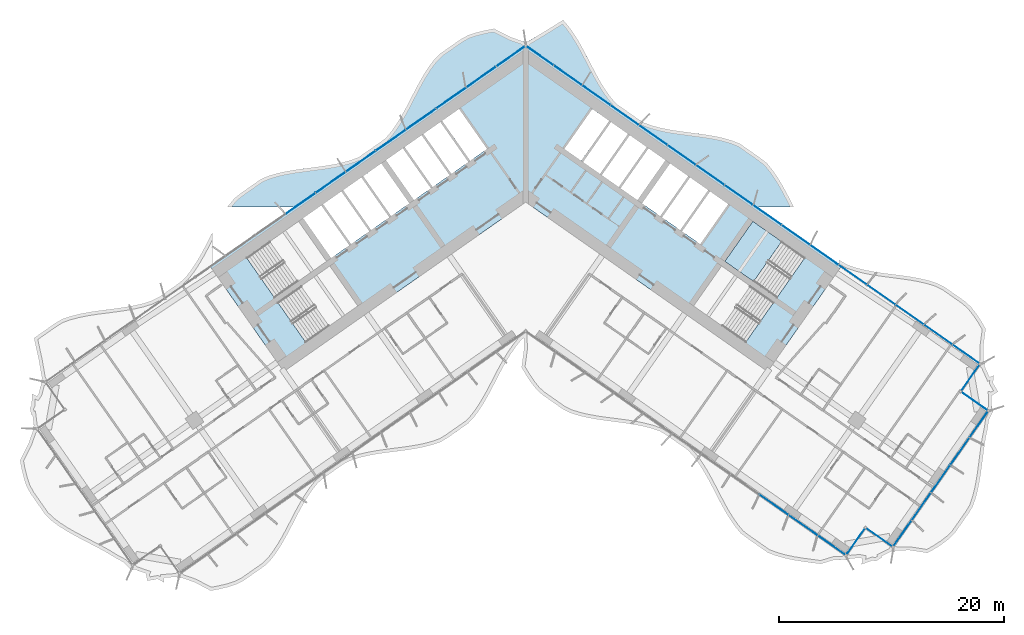
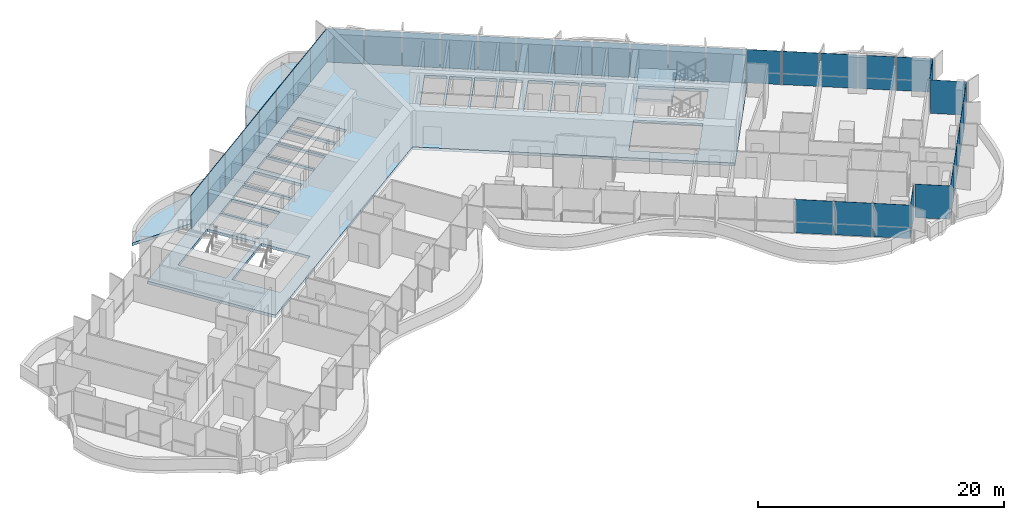
# One storey, part 11 of 23: 36 plates, 3 slabs, 3 elements without a shape of their own.
"""IFC4 building model written with IfcOpenShell, lengths in metres."""

import ifcopenshell
import ifcopenshell.guid

model = None  # the IFC model being written
_history = None  # IfcOwnerHistory: only IFC2X3 demands one
_inside = {}  # id of a spatial element -> (the spatial element, [elements in it])
_under = {}  # id of a project, library or spatial element -> (it, [spatial elements below it])
_declared = {}  # id of a project -> (the project, [libraries it declares])
_typed = {}  # id of a type object -> (the type object, [elements of that type])
_made_of = {}  # id of a material, layer set ... -> (it, [elements and type objects made of it])


def new_model(schema):
    """Start an empty IFC model of exactly this schema.

    Asked for "IFC4X3", IfcOpenShell would pick the latest addendum, in which some entities
    have other attributes; the version numbers below select the first issue.
    IFC2X3 requires an IfcOwnerHistory on every rooted entity: one is made here for all.
    """
    global model, _history
    if schema == "IFC4X3":
        model = ifcopenshell.file(schema_version=(4, 3, 0, 0))
    else:
        model = ifcopenshell.file(schema=schema)
    _inside.clear()
    _under.clear()
    _declared.clear()
    _typed.clear()
    _made_of.clear()
    _history = None
    if model.schema == "IFC2X3":
        org = make("IfcOrganization", Name="unknown")
        user = make(
            "IfcPersonAndOrganization",
            ThePerson=make("IfcPerson", FamilyName="unknown"),
            TheOrganization=org,
        )
        app = make(
            "IfcApplication",
            ApplicationDeveloper=org,
            Version="unknown",
            ApplicationFullName="unknown",
            ApplicationIdentifier="unknown",
        )
        _history = make(
            "IfcOwnerHistory",
            OwningUser=user,
            OwningApplication=app,
            ChangeAction="ADDED",
            CreationDate=0,
        )
    return model


def make(cls, **values):
    """One entity of the class cls with the attributes given. An attribute that is None is left unset."""
    return model.create_entity(
        cls, **{name: value for name, value in values.items() if value is not None}
    )


def rooted(cls, **values):
    """An entity with a GlobalId (a new one), such as an element, a storey or a relation."""
    return make(cls, GlobalId=ifcopenshell.guid.new(), OwnerHistory=_history, **values)


def si_unit(unit_type, name, prefix=None):
    """IfcSIUnit, for example si_unit("LENGTHUNIT", "METRE", prefix="MILLI")."""
    return make("IfcSIUnit", UnitType=unit_type, Prefix=prefix, Name=name)


def assignment(units):
    """IfcUnitAssignment: the units of a project."""
    return None if units is None else make("IfcUnitAssignment", Units=units)


def point(xyz):
    """IfcCartesianPoint."""
    return None if xyz is None else make("IfcCartesianPoint", Coordinates=xyz)


def direction(xyz):
    """IfcDirection."""
    return None if xyz is None else make("IfcDirection", DirectionRatios=xyz)


def frame(location, z_axis=None, x_axis=None):
    """IfcAxis2Placement3D, a coordinate frame: its origin and axes. An axis left out is left unset."""
    return make(
        "IfcAxis2Placement3D",
        Location=point(location),
        Axis=direction(z_axis),
        RefDirection=direction(x_axis),
    )


def frame_2d(location, x_axis=None):
    """IfcAxis2Placement2D, a coordinate frame in the plane: its origin and x axis."""
    return make(
        "IfcAxis2Placement2D", Location=point(location), RefDirection=direction(x_axis)
    )


def origin():
    """The frame at (0, 0, 0) with its axes left unset."""
    return frame((0.0, 0.0, 0.0))


def origin_2d():
    """The frame at (0, 0) in the plane with its x axis left unset."""
    return frame_2d((0.0, 0.0))


def place(relative_to, where):
    """IfcLocalPlacement: puts the frame where relative to a parent placement (None: the world)."""
    return make(
        "IfcLocalPlacement", PlacementRelTo=relative_to, RelativePlacement=where
    )


def context(
    kind, dimensions, precision=None, world=None, true_north=None, identifier=None
):
    """IfcGeometricRepresentationContext, for example the 3D "Model" context."""
    return make(
        "IfcGeometricRepresentationContext",
        ContextIdentifier=identifier,
        ContextType=kind,
        CoordinateSpaceDimension=dimensions,
        Precision=precision,
        WorldCoordinateSystem=world,
        TrueNorth=true_north,
    )


def subcontext(parent, identifier, kind, view, scale=None):
    """IfcGeometricRepresentationSubContext, for example "Body" below "Model"."""
    return make(
        "IfcGeometricRepresentationSubContext",
        ContextIdentifier=identifier,
        ContextType=kind,
        ParentContext=parent,
        TargetScale=scale,
        TargetView=view,
    )


def project(units=None, contexts=None):
    """IfcProject with its units and contexts."""
    return rooted(
        "IfcProject",
        Name="project",
        RepresentationContexts=contexts,
        UnitsInContext=assignment(units),
    )


def spatial(cls, under=None, at=None, **own):
    """A site, building, storey or space (cls), placed at a placement, below another one or the project."""
    s = rooted(cls, ObjectPlacement=at, **own)
    if under is not None:
        _under.setdefault(under.id(), (under, []))[1].append(s)
    return s


def polyline(points):
    """IfcPolyline through the points."""
    return make("IfcPolyline", Points=[point(p) for p in points])


def profile(cls, at=None, kind="AREA", **sizes):
    """A parametric profile (cls). Its sizes go by their IFC names, for example OverallWidth=200.0."""
    return make(cls, ProfileType=kind, Position=at, **sizes)


def rectangle(**sizes):
    """IfcRectangleProfileDef."""
    return profile("IfcRectangleProfileDef", **sizes)


def outline(outer, holes=None, kind="AREA"):
    """IfcArbitraryClosedProfileDef: a profile drawn as a closed curve; with holes, ...WithVoids."""
    if holes is None:
        return make("IfcArbitraryClosedProfileDef", ProfileType=kind, OuterCurve=outer)
    return make(
        "IfcArbitraryProfileDefWithVoids",
        ProfileType=kind,
        OuterCurve=outer,
        InnerCurves=holes,
    )


def extrude(swept, where, along, depth):
    """IfcExtrudedAreaSolid: the profile swept, set in the frame where, extruded along a direction by depth."""
    return make(
        "IfcExtrudedAreaSolid",
        SweptArea=swept,
        Position=where,
        ExtrudedDirection=direction(along),
        Depth=depth,
    )


def shape(context_of_items, identifier, shape_type, items):
    """IfcShapeRepresentation: the items that make up one representation, for example the "Body"."""
    return make(
        "IfcShapeRepresentation",
        ContextOfItems=context_of_items,
        RepresentationIdentifier=identifier,
        RepresentationType=shape_type,
        Items=items,
    )


def material(Name=None, Category=None):
    """IfcMaterial."""
    return make("IfcMaterial", Name=Name, Category=Category)


def layer(
    of_material, thickness, ventilated=None, Name=None, Category=None, Priority=None
):
    """IfcMaterialLayer: one layer of a wall or slab, of a material (None: an air gap)."""
    return make(
        "IfcMaterialLayer",
        Material=of_material,
        LayerThickness=thickness,
        IsVentilated=ventilated,
        Name=Name,
        Category=Category,
        Priority=Priority,
    )


def layer_set(layers, Name=None):
    """IfcMaterialLayerSet."""
    return make("IfcMaterialLayerSet", MaterialLayers=layers, LayerSetName=Name)


def made_of(thing, what):
    """Note that an element or type object is made of a material, layer set ...; save() writes the relation."""
    if what is not None:
        _made_of.setdefault(what.id(), (what, []))[1].append(thing)
    return thing


def type_object(cls, material=None, **own):
    """A type object (cls), such as IfcWallType, which elements share."""
    return made_of(rooted(cls, **own), material)


def element(
    cls,
    number,
    at=None,
    inside=None,
    cuts=None,
    type_object=None,
    material=None,
    context=None,
    identifier="Body",
    shape_type=None,
    held_by="IfcProductDefinitionShape",
    body=None,
    shapes=None,
    **own,
):
    """One element of the class cls, such as IfcWall. Its Tag is "e" and its number.

    at: its placement. inside: the storey or other place that contains it. cuts: it is an
    opening in that element (IfcRelVoidsElement). A single representation is given by context,
    identifier, shape_type and body (its items); several are given by shapes. held_by: the class
    of the entity that holds the representations. save() writes the other relations.
    """
    e = rooted(cls, Tag="e%d" % number, ObjectPlacement=at, **own)
    if body is not None:
        shapes = [shape(context, identifier, shape_type, body)]
    if shapes is not None:
        e.Representation = make(held_by, Representations=shapes)
    if inside is not None:
        _inside.setdefault(inside.id(), (inside, []))[1].append(e)
    if cuts is not None:
        rooted(
            "IfcRelVoidsElement", RelatingBuildingElement=cuts, RelatedOpeningElement=e
        )
    if type_object is not None:
        _typed.setdefault(type_object.id(), (type_object, []))[1].append(e)
    return made_of(e, material)


def aggregate(whole, parts):
    """IfcRelAggregates: a whole, such as a stair, and the parts it consists of."""
    return rooted("IfcRelAggregates", RelatingObject=whole, RelatedObjects=parts)


def save(model, path):
    """Write the relations noted so far, then the file.

    IfcRelAggregates (storeys below a building ...), IfcRelContainedInSpatialStructure (elements
    in a storey), IfcRelDefinesByType, IfcRelAssociatesMaterial and IfcRelDeclares: one each for
    every whole, place, type object, material and project.
    """
    for whole, parts in _under.values():
        aggregate(whole, parts)
    for where, things in _inside.values():
        rooted(
            "IfcRelContainedInSpatialStructure",
            RelatedElements=things,
            RelatingStructure=where,
        )
    for kind, things in _typed.values():
        rooted("IfcRelDefinesByType", RelatedObjects=things, RelatingType=kind)
    for what, things in _made_of.values():
        rooted("IfcRelAssociatesMaterial", RelatedObjects=things, RelatingMaterial=what)
    for by, libraries in _declared.values():
        rooted("IfcRelDeclares", RelatingContext=by, RelatedDefinitions=libraries)
    model.write(path)


model = new_model("IFC4")

# Units and contexts
model_context = context("Model", 3, precision=1e-05, world=origin(), true_north=direction((0.0, 1.0)))
body_context = subcontext(model_context, "Body", "Model", "MODEL_VIEW")
ifc_project = project(units=[si_unit("LENGTHUNIT", "METRE"), si_unit("AREAUNIT", "SQUARE_METRE"), si_unit("VOLUMEUNIT", "CUBIC_METRE"), si_unit("PLANEANGLEUNIT", "RADIAN"), si_unit("MASSUNIT", "GRAM", prefix="KILO")], contexts=[model_context])

# Site, building, storey
site_placement = place(None, origin())
site = spatial("IfcSite", under=ifc_project, at=site_placement, CompositionType="ELEMENT")
building_placement = place(site_placement, origin())
building = spatial("IfcBuilding", under=site, at=building_placement, Name="Tel Ilan Convention Tower", CompositionType="ELEMENT")
storey_placement = place(building_placement, frame((0.0, 0.0, 86.89990234375)))
storey = spatial("IfcBuildingStorey", under=building, at=storey_placement, Name="L17", CompositionType="ELEMENT", Elevation=86.89990234375)

# Curtain wall, plates
ifc_material_1 = material(Name="Aluminium, bronze anodised", Category="aluminium")
curtain_wall_type_1 = type_object("IfcCurtainWallType", Name="CW1 UNITISED CURTAIN WALL, HOTEL TINTED GLASS", PredefinedType="NOTDEFINED", material=ifc_material_1)
curtain_wall_1_placement = place(storey_placement, origin())
curtain_wall_1 = element("IfcCurtainWall", 1, at=curtain_wall_1_placement, inside=storey, type_object=curtain_wall_type_1, Name="Curtain wall CW1-15.02", PredefinedType="NOTDEFINED")
ifc_material_2 = material(Name="Glass, bronze tinted, two-ply unitised", Category="glass")
ifc_layer_1 = layer(ifc_material_2, 0.028076171875)
ifc_layer_set_1 = layer_set([ifc_layer_1], Name="CW HOTEL GLASS PANEL 28")
plate_type_1 = type_object("IfcPlateType", Name="CW HOTEL GLASS PANEL 28", PredefinedType="CURTAIN_PANEL", material=ifc_layer_set_1)
plate_1_placement = place(storey_placement, frame((22.115478515625, -28.181396484375, 0.0), z_axis=(0.0, 0.0, 1.0), x_axis=(0.819152044289, -0.573576436351, 0.0)))
plate_1 = element("IfcPlate", 2, at=plate_1_placement, type_object=plate_type_1, Name="Glass panel", PredefinedType="CURTAIN_PANEL", context=body_context, shape_type="SweptSolid", body=[
    extrude(rectangle(XDim=3.10791015625, YDim=0.028076171875, at=origin_2d()), origin(), (0.0, 0.0, 1.0), 3.320068359375),
])
plate_2_placement = place(storey_placement, frame((24.71044921875, -29.99853515625, 0.0), z_axis=(0.0, 0.0, 1.0), x_axis=(0.819152044289, -0.573576436351, 0.0)))
plate_2 = element("IfcPlate", 3, at=plate_2_placement, type_object=plate_type_1, Name="Glass panel", PredefinedType="CURTAIN_PANEL", context=body_context, shape_type="SweptSolid", body=[
    extrude(rectangle(XDim=3.10791015625, YDim=0.028076171875, at=origin_2d()), origin(), (0.0, 0.0, 1.0), 3.320068359375),
])
plate_3_placement = place(storey_placement, frame((27.26708984375, -31.78857421875, 0.0), z_axis=(0.0, 0.0, 1.0), x_axis=(0.819152044289, -0.573576436351, 0.0)))
plate_3 = element("IfcPlate", 4, at=plate_3_placement, type_object=plate_type_1, Name="Glass panel", PredefinedType="CURTAIN_PANEL", context=body_context, shape_type="SweptSolid", body=[
    extrude(rectangle(XDim=3.013916015625, YDim=0.028076171875, at=origin_2d()), origin(), (0.0, 0.0, 1.0), 3.320068359375),
])
plate_4_placement = place(storey_placement, frame((29.359375, -31.469482421875, 0.0), z_axis=(0.0, 0.0, 1.0), x_axis=(0.573576436351, 0.819152044289, 0.0)))
plate_4 = element("IfcPlate", 5, at=plate_4_placement, type_object=plate_type_1, Name="Glass panel", PredefinedType="CURTAIN_PANEL", context=body_context, shape_type="SweptSolid", body=[
    extrude(rectangle(XDim=2.875, YDim=0.028076171875, at=origin_2d()), origin(), (0.0, 0.0, 1.0), 3.320068359375),
])
plate_5_placement = place(storey_placement, frame((31.502197265625, -31.091796875, 0.0), z_axis=(0.0, 0.0, 1.0), x_axis=(0.819152044289, -0.573576436351, 0.0)))
plate_5 = element("IfcPlate", 6, at=plate_5_placement, type_object=plate_type_1, Name="Glass panel", PredefinedType="CURTAIN_PANEL", context=body_context, shape_type="SweptSolid", body=[
    extrude(rectangle(XDim=2.875, YDim=0.028076171875, at=origin_2d()), origin(), (0.0, 0.0, 1.0), 3.320068359375),
])
plate_6_placement = place(storey_placement, frame((33.529296875, -30.74462890625, 0.0), z_axis=(0.0, 0.0, 1.0), x_axis=(0.573576436351, 0.819152044289, 0.0)))
plate_6 = element("IfcPlate", 7, at=plate_6_placement, type_object=plate_type_1, Name="Glass panel", PredefinedType="CURTAIN_PANEL", context=body_context, shape_type="SweptSolid", body=[
    extrude(rectangle(XDim=2.845947265625, YDim=0.028076171875, at=origin_2d()), origin(), (0.0, 0.0, 1.0), 3.320068359375),
])
plate_7_placement = place(storey_placement, frame((35.22314453125, -28.32568359375, 0.0), z_axis=(0.0, 0.0, 1.0), x_axis=(0.573576436351, 0.819152044289, 0.0)))
plate_7 = element("IfcPlate", 8, at=plate_7_placement, type_object=plate_type_1, Name="Glass panel", PredefinedType="CURTAIN_PANEL", context=body_context, shape_type="SweptSolid", body=[
    extrude(rectangle(XDim=2.93994140625, YDim=0.028076171875, at=origin_2d()), origin(), (0.0, 0.0, 1.0), 3.320068359375),
])
plate_8_placement = place(storey_placement, frame((36.94384765625, -25.868408203125, 0.0), z_axis=(0.0, 0.0, 1.0), x_axis=(0.573576436351, 0.819152044289, 0.0)))
plate_8 = element("IfcPlate", 9, at=plate_8_placement, type_object=plate_type_1, Name="Glass panel", PredefinedType="CURTAIN_PANEL", context=body_context, shape_type="SweptSolid", body=[
    extrude(rectangle(XDim=2.93994140625, YDim=0.028076171875, at=origin_2d()), origin(), (0.0, 0.0, 1.0), 3.320068359375),
])
plate_9_placement = place(storey_placement, frame((38.66455078125, -23.410888671875, 0.0), z_axis=(0.0, 0.0, 1.0), x_axis=(0.573576436351, 0.819152044289, 0.0)))
plate_9 = element("IfcPlate", 10, at=plate_9_placement, type_object=plate_type_1, Name="Glass panel", PredefinedType="CURTAIN_PANEL", context=body_context, shape_type="SweptSolid", body=[
    extrude(rectangle(XDim=2.93994140625, YDim=0.028076171875, at=origin_2d()), origin(), (0.0, 0.0, 1.0), 3.320068359375),
])
plate_10_placement = place(storey_placement, frame((40.358154296875, -20.991943359375, 0.0), z_axis=(0.0, 0.0, 1.0), x_axis=(0.573576436351, 0.819152044289, 0.0)))
plate_10 = element("IfcPlate", 11, at=plate_10_placement, type_object=plate_type_1, Name="Glass panel", PredefinedType="CURTAIN_PANEL", context=body_context, shape_type="SweptSolid", body=[
    extrude(rectangle(XDim=2.845947265625, YDim=0.028076171875, at=origin_2d()), origin(), (0.0, 0.0, 1.0), 3.320068359375),
])
plate_11_placement = place(storey_placement, frame((39.990966796875, -18.96826171875, 0.0), z_axis=(0.0, 0.0, 1.0), x_axis=(-0.819152044289, 0.573576436351, 0.0)))
plate_11 = element("IfcPlate", 12, at=plate_11_placement, type_object=plate_type_1, Name="Glass panel", PredefinedType="CURTAIN_PANEL", context=body_context, shape_type="SweptSolid", body=[
    extrude(rectangle(XDim=2.875, YDim=0.028076171875, at=origin_2d()), origin(), (0.0, 0.0, 1.0), 3.320068359375),
])
plate_12_placement = place(storey_placement, frame((39.61328125, -16.82568359375, 0.0), z_axis=(0.0, 0.0, 1.0), x_axis=(0.573576436351, 0.819152044289, 0.0)))
plate_12 = element("IfcPlate", 13, at=plate_12_placement, type_object=plate_type_1, Name="Glass panel", PredefinedType="CURTAIN_PANEL", context=body_context, shape_type="SweptSolid", body=[
    extrude(rectangle(XDim=2.875, YDim=0.028076171875, at=origin_2d()), origin(), (0.0, 0.0, 1.0), 3.320068359375),
])
plate_13_placement = place(storey_placement, frame((39.2265625, -14.7705078125, 0.0), z_axis=(0.0, 0.0, 1.0), x_axis=(-0.819152044289, 0.573576436351, 0.0)))
plate_13 = element("IfcPlate", 14, at=plate_13_placement, type_object=plate_type_1, Name="Glass panel", PredefinedType="CURTAIN_PANEL", context=body_context, shape_type="SweptSolid", body=[
    extrude(rectangle(XDim=2.943115234375, YDim=0.028076171875, at=origin_2d()), origin(), (0.0, 0.0, 1.0), 3.320068359375),
])
plate_14_placement = place(storey_placement, frame((36.72802734375, -13.021240234375, 0.0), z_axis=(0.0, 0.0, 1.0), x_axis=(-0.819152044289, 0.573576436351, 0.0)))
plate_14 = element("IfcPlate", 15, at=plate_14_placement, type_object=plate_type_1, Name="Glass panel", PredefinedType="CURTAIN_PANEL", context=body_context, shape_type="SweptSolid", body=[
    extrude(rectangle(XDim=3.037109375, YDim=0.028076171875, at=origin_2d()), origin(), (0.0, 0.0, 1.0), 3.320068359375),
])
plate_15_placement = place(storey_placement, frame((34.191162109375, -11.244873046875, 0.0), z_axis=(0.0, 0.0, 1.0), x_axis=(-0.819152044289, 0.573576436351, 0.0)))
plate_15 = element("IfcPlate", 16, at=plate_15_placement, type_object=plate_type_1, Name="Glass panel", PredefinedType="CURTAIN_PANEL", context=body_context, shape_type="SweptSolid", body=[
    extrude(rectangle(XDim=3.037109375, YDim=0.028076171875, at=origin_2d()), origin(), (0.0, 0.0, 1.0), 3.320068359375),
])
plate_16_placement = place(storey_placement, frame((31.654296875, -9.468505859375, 0.0), z_axis=(0.0, 0.0, 1.0), x_axis=(-0.819152044289, 0.573576436351, 0.0)))
plate_16 = element("IfcPlate", 17, at=plate_16_placement, type_object=plate_type_1, Name="Glass panel", PredefinedType="CURTAIN_PANEL", context=body_context, shape_type="SweptSolid", body=[
    extrude(rectangle(XDim=3.037109375, YDim=0.028076171875, at=origin_2d()), origin(), (0.0, 0.0, 1.0), 3.320068359375),
])
plate_17_placement = place(storey_placement, frame((29.1171875, -7.692138671875, 0.0), z_axis=(0.0, 0.0, 1.0), x_axis=(-0.819152044289, 0.573576436351, 0.0)))
plate_17 = element("IfcPlate", 18, at=plate_17_placement, type_object=plate_type_1, Name="Glass panel", PredefinedType="CURTAIN_PANEL", context=body_context, shape_type="SweptSolid", body=[
    extrude(rectangle(XDim=3.037109375, YDim=0.028076171875, at=origin_2d()), origin(), (0.0, 0.0, 1.0), 3.320068359375),
])
aggregate(curtain_wall_1, [plate_1, plate_2, plate_3, plate_4, plate_5, plate_6, plate_7, plate_8, plate_9, plate_10, plate_11, plate_12, plate_13, plate_14, plate_15, plate_16, plate_17])

ifc_material_3 = material(Name="Aluminium, bronze anodised", Category="aluminium")
curtain_wall_type_2 = type_object("IfcCurtainWallType", Name="CW2 STICK CURTAIN WALL, SPANDREL PANELS", PredefinedType="NOTDEFINED", material=ifc_material_3)
curtain_wall_2_placement = place(storey_placement, origin())
curtain_wall_2 = element("IfcCurtainWall", 19, at=curtain_wall_2_placement, inside=storey, type_object=curtain_wall_type_2, Name="Curtain wall CW2-15.01", PredefinedType="NOTDEFINED")
ifc_material_4 = material(Name="Aluminium composite panel, bronze anodised", Category="aluminium")
ifc_layer_2 = layer(ifc_material_4, 0.06005859375)
ifc_layer_set_2 = layer_set([ifc_layer_2], Name="CW SPANDREL PANEL 60")
plate_type_2 = type_object("IfcPlateType", Name="CW SPANDREL PANEL 60", PredefinedType="CURTAIN_PANEL", material=ifc_layer_set_2)
plate_18_placement = place(storey_placement, frame((26.580322265625, -5.915771484375, 0.0), z_axis=(0.0, 0.0, 1.0), x_axis=(-0.819152044289, 0.573576436351, 0.0)))
plate_18 = element("IfcPlate", 20, at=plate_18_placement, type_object=plate_type_2, Name="Spandrel panel", PredefinedType="CURTAIN_PANEL", context=body_context, shape_type="SweptSolid", body=[
    extrude(rectangle(XDim=3.037109375, YDim=0.06005859375, at=origin_2d()), origin(), (0.0, 0.0, 1.0), 3.320068359375),
])
plate_19_placement = place(storey_placement, frame((24.04345703125, -4.139404296875, 0.0), z_axis=(0.0, 0.0, 1.0), x_axis=(-0.819152044289, 0.573576436351, 0.0)))
plate_19 = element("IfcPlate", 21, at=plate_19_placement, type_object=plate_type_2, Name="Spandrel panel", PredefinedType="CURTAIN_PANEL", context=body_context, shape_type="SweptSolid", body=[
    extrude(rectangle(XDim=3.037109375, YDim=0.06005859375, at=origin_2d()), origin(), (0.0, 0.0, 1.0), 3.320068359375),
])
plate_20_placement = place(storey_placement, frame((21.506591796875, -2.363037109375, 0.0), z_axis=(0.0, 0.0, 1.0), x_axis=(-0.819152044289, 0.573576436351, 0.0)))
plate_20 = element("IfcPlate", 22, at=plate_20_placement, type_object=plate_type_2, Name="Spandrel panel", PredefinedType="CURTAIN_PANEL", context=body_context, shape_type="SweptSolid", body=[
    extrude(rectangle(XDim=3.037109375, YDim=0.06005859375, at=origin_2d()), origin(), (0.0, 0.0, 1.0), 3.320068359375),
])
plate_21_placement = place(storey_placement, frame((18.969482421875, -0.586669921875, 0.0), z_axis=(0.0, 0.0, 1.0), x_axis=(-0.819152044289, 0.573576436351, 0.0)))
plate_21 = element("IfcPlate", 23, at=plate_21_placement, type_object=plate_type_2, Name="Spandrel panel", PredefinedType="CURTAIN_PANEL", context=body_context, shape_type="SweptSolid", body=[
    extrude(rectangle(XDim=3.037109375, YDim=0.06005859375, at=origin_2d()), origin(), (0.0, 0.0, 1.0), 3.320068359375),
])
plate_22_placement = place(storey_placement, frame((16.4326171875, 1.189697265625, 0.0), z_axis=(0.0, 0.0, 1.0), x_axis=(-0.819152044289, 0.573576436351, 0.0)))
plate_22 = element("IfcPlate", 24, at=plate_22_placement, type_object=plate_type_2, Name="Spandrel panel", PredefinedType="CURTAIN_PANEL", context=body_context, shape_type="SweptSolid", body=[
    extrude(rectangle(XDim=3.037109375, YDim=0.06005859375, at=origin_2d()), origin(), (0.0, 0.0, 1.0), 3.320068359375),
])
plate_23_placement = place(storey_placement, frame((13.895751953125, 2.966064453125, 0.0), z_axis=(0.0, 0.0, 1.0), x_axis=(-0.819152044289, 0.573576436351, 0.0)))
plate_23 = element("IfcPlate", 25, at=plate_23_placement, type_object=plate_type_2, Name="Spandrel panel", PredefinedType="CURTAIN_PANEL", context=body_context, shape_type="SweptSolid", body=[
    extrude(rectangle(XDim=3.037109375, YDim=0.06005859375, at=origin_2d()), origin(), (0.0, 0.0, 1.0), 3.320068359375),
])
plate_24_placement = place(storey_placement, frame((11.35888671875, 4.742431640625, 0.0), z_axis=(0.0, 0.0, 1.0), x_axis=(-0.819152044289, 0.573576436351, 0.0)))
plate_24 = element("IfcPlate", 26, at=plate_24_placement, type_object=plate_type_2, Name="Spandrel panel", PredefinedType="CURTAIN_PANEL", context=body_context, shape_type="SweptSolid", body=[
    extrude(rectangle(XDim=3.037109375, YDim=0.06005859375, at=origin_2d()), origin(), (0.0, 0.0, 1.0), 3.320068359375),
])
plate_25_placement = place(storey_placement, frame((8.82177734375, 6.518798828125, 0.0), z_axis=(0.0, 0.0, 1.0), x_axis=(-0.819152044289, 0.573576436351, 0.0)))
plate_25 = element("IfcPlate", 27, at=plate_25_placement, type_object=plate_type_2, Name="Spandrel panel", PredefinedType="CURTAIN_PANEL", context=body_context, shape_type="SweptSolid", body=[
    extrude(rectangle(XDim=3.037109375, YDim=0.06005859375, at=origin_2d()), origin(), (0.0, 0.0, 1.0), 3.320068359375),
])
plate_26_placement = place(storey_placement, frame((6.284912109375, 8.295166015625, 0.0), z_axis=(0.0, 0.0, 1.0), x_axis=(-0.819152044289, 0.573576436351, 0.0)))
plate_26 = element("IfcPlate", 28, at=plate_26_placement, type_object=plate_type_2, Name="Spandrel panel", PredefinedType="CURTAIN_PANEL", context=body_context, shape_type="SweptSolid", body=[
    extrude(rectangle(XDim=3.037109375, YDim=0.06005859375, at=origin_2d()), origin(), (0.0, 0.0, 1.0), 3.320068359375),
])
plate_27_placement = place(storey_placement, frame((3.748046875, 10.07177734375, 0.0), z_axis=(0.0, 0.0, 1.0), x_axis=(-0.819152044289, 0.573576436351, 0.0)))
plate_27 = element("IfcPlate", 29, at=plate_27_placement, type_object=plate_type_2, Name="Spandrel panel", PredefinedType="CURTAIN_PANEL", context=body_context, shape_type="SweptSolid", body=[
    extrude(rectangle(XDim=3.037109375, YDim=0.06005859375, at=origin_2d()), origin(), (0.0, 0.0, 1.0), 3.320068359375),
])
plate_28_placement = place(storey_placement, frame((1.256103515625, 11.81640625, 0.0), z_axis=(0.0, 0.0, 1.0), x_axis=(-0.819152044289, 0.573576436351, 0.0)))
plate_28 = element("IfcPlate", 30, at=plate_28_placement, type_object=plate_type_2, Name="Spandrel panel", PredefinedType="CURTAIN_PANEL", context=body_context, shape_type="SweptSolid", body=[
    extrude(rectangle(XDim=2.927001953125, YDim=0.06005859375, at=origin_2d()), origin(), (0.0, 0.0, 1.0), 3.320068359375),
])
plate_29_placement = place(storey_placement, frame((-1.327880859375, 11.766357421875, 0.0), z_axis=(0.0, 0.0, 1.0), x_axis=(-0.819152044289, -0.573576436351, 0.0)))
plate_29 = element("IfcPlate", 31, at=plate_29_placement, type_object=plate_type_2, Name="Spandrel panel", PredefinedType="CURTAIN_PANEL", context=body_context, shape_type="SweptSolid", body=[
    extrude(rectangle(XDim=3.10205078125, YDim=0.06005859375, at=origin_2d()), origin(), (0.0, 0.0, 1.0), 3.320068359375),
])
plate_30_placement = place(storey_placement, frame((-3.963134765625, 9.921142578125, 0.0), z_axis=(0.0, 0.0, 1.0), x_axis=(-0.819152044289, -0.573576436351, 0.0)))
plate_30 = element("IfcPlate", 32, at=plate_30_placement, type_object=plate_type_2, Name="Spandrel panel", PredefinedType="CURTAIN_PANEL", context=body_context, shape_type="SweptSolid", body=[
    extrude(rectangle(XDim=3.2119140625, YDim=0.06005859375, at=origin_2d()), origin(), (0.0, 0.0, 1.0), 3.320068359375),
])
plate_31_placement = place(storey_placement, frame((-6.643310546875, 8.04443359375, 0.0), z_axis=(0.0, 0.0, 1.0), x_axis=(-0.819152044289, -0.573576436351, 0.0)))
plate_31 = element("IfcPlate", 33, at=plate_31_placement, type_object=plate_type_2, Name="Spandrel panel", PredefinedType="CURTAIN_PANEL", context=body_context, shape_type="SweptSolid", body=[
    extrude(rectangle(XDim=3.2119140625, YDim=0.06005859375, at=origin_2d()), origin(), (0.0, 0.0, 1.0), 3.320068359375),
])
plate_32_placement = place(storey_placement, frame((-9.323486328125, 6.16748046875, 0.0), z_axis=(0.0, 0.0, 1.0), x_axis=(-0.819152044289, -0.573576436351, 0.0)))
plate_32 = element("IfcPlate", 34, at=plate_32_placement, type_object=plate_type_2, Name="Spandrel panel", PredefinedType="CURTAIN_PANEL", context=body_context, shape_type="SweptSolid", body=[
    extrude(rectangle(XDim=3.2119140625, YDim=0.06005859375, at=origin_2d()), origin(), (0.0, 0.0, 1.0), 3.320068359375),
])
plate_33_placement = place(storey_placement, frame((-12.00390625, 4.290771484375, 0.0), z_axis=(0.0, 0.0, 1.0), x_axis=(-0.819152044289, -0.573576436351, 0.0)))
plate_33 = element("IfcPlate", 35, at=plate_33_placement, type_object=plate_type_2, Name="Spandrel panel", PredefinedType="CURTAIN_PANEL", context=body_context, shape_type="SweptSolid", body=[
    extrude(rectangle(XDim=3.2119140625, YDim=0.06005859375, at=origin_2d()), origin(), (0.0, 0.0, 1.0), 3.320068359375),
])
plate_34_placement = place(storey_placement, frame((-14.68408203125, 2.4140625, 0.0), z_axis=(0.0, 0.0, 1.0), x_axis=(-0.819152044289, -0.573576436351, 0.0)))
plate_34 = element("IfcPlate", 36, at=plate_34_placement, type_object=plate_type_2, Name="Spandrel panel", PredefinedType="CURTAIN_PANEL", context=body_context, shape_type="SweptSolid", body=[
    extrude(rectangle(XDim=3.2119140625, YDim=0.06005859375, at=origin_2d()), origin(), (0.0, 0.0, 1.0), 3.320068359375),
])
plate_35_placement = place(storey_placement, frame((-17.364501953125, 0.537353515625, 0.0), z_axis=(0.0, 0.0, 1.0), x_axis=(-0.819152044289, -0.573576436351, 0.0)))
plate_35 = element("IfcPlate", 37, at=plate_35_placement, type_object=plate_type_2, Name="Spandrel panel", PredefinedType="CURTAIN_PANEL", context=body_context, shape_type="SweptSolid", body=[
    extrude(rectangle(XDim=3.2119140625, YDim=0.06005859375, at=origin_2d()), origin(), (0.0, 0.0, 1.0), 3.320068359375),
])
plate_36_placement = place(storey_placement, frame((-20.044677734375, -1.33935546875, 0.0), z_axis=(0.0, 0.0, 1.0), x_axis=(-0.819152044289, -0.573576436351, 0.0)))
plate_36 = element("IfcPlate", 38, at=plate_36_placement, type_object=plate_type_2, Name="Spandrel panel", PredefinedType="CURTAIN_PANEL", context=body_context, shape_type="SweptSolid", body=[
    extrude(rectangle(XDim=3.2119140625, YDim=0.06005859375, at=origin_2d()), origin(), (0.0, 0.0, 1.0), 3.320068359375),
])
aggregate(curtain_wall_2, [plate_18, plate_19, plate_20, plate_21, plate_22, plate_23, plate_24, plate_25, plate_26, plate_27, plate_28, plate_29, plate_30, plate_31, plate_32, plate_33, plate_34, plate_35, plate_36])

# Stair, slab
ifc_material_5 = material(Name="Concrete C40/50", Category="concrete")
stair_type = type_object("IfcStairType", Name="Pressurised Exit Stair 20 risers 180 mm", PredefinedType="HALF_TURN_STAIR", material=ifc_material_5)
stair_placement = place(storey_placement, origin())
stair = element("IfcStair", 39, at=stair_placement, inside=storey, type_object=stair_type, Name="L17 Pressurised Stair S3", PredefinedType="HALF_TURN_STAIR")
ifc_material_6 = material(Name="Concrete C40/50", Category="concrete")
ifc_layer_3 = layer(ifc_material_6, 0.199951171875)
ifc_layer_set_3 = layer_set([ifc_layer_3], Name="Concrete Stair Landing 200 mm C40/50")
slab_type_1 = type_object("IfcSlabType", Name="Concrete Stair Landing 200 mm", PredefinedType="LANDING", material=ifc_layer_set_3)
slab_1_placement = place(storey_placement, frame((0.0, 0.0, 1.60009765625)))
slab_1 = element("IfcSlab", 40, at=slab_1_placement, type_object=slab_type_1, Name="S3 landing 1", PredefinedType="LANDING", context=body_context, shape_type="SweptSolid", body=[
    extrude(outline(polyline([(22.791015625, -4.727294921875), (20.226318359375, -2.931640625), (17.7314453125, -6.494873046875), (20.2958984375, -8.29052734375), (22.791015625, -4.727294921875)])), origin(), (0.0, 0.0, 1.0), 0.199951171875),
])
aggregate(stair, [slab_1])

# Slabs
ifc_material_7 = material(Name="Concrete C40/50", Category="concrete")
ifc_layer_4 = layer(ifc_material_7, 0.280029296875)
ifc_layer_set_4 = layer_set([ifc_layer_4], Name="Core Floor Slab 280 mm C40/50")
slab_type_2 = type_object("IfcSlabType", Name="Core Floor Slab 280 mm C40/50", PredefinedType="FLOOR", material=ifc_layer_set_4)
slab_2_placement = place(storey_placement, frame((0.0, 0.0, -0.27978515625)))
element("IfcSlab", 41, at=slab_2_placement, inside=storey, type_object=slab_type_2, Name="L17 core floor 1", PredefinedType="FLOOR", context=body_context, shape_type="SweptSolid", body=[
    extrude(outline(polyline([(-28.1396484375, -6.885498046875), (0.0, 12.818115234375), (28.1396484375, -6.885498046875), (21.54345703125, -16.3056640625), (0.0, -1.220703125), (-21.54345703125, -16.3056640625), (-28.1396484375, -6.885498046875)]), holes=[polyline([(-14.949462890625, -10.4677734375), (-17.444580078125, -6.904541015625), (-22.072021484375, -10.144775390625), (-19.5771484375, -13.7080078125), (-14.949462890625, -10.4677734375)]), polyline([(-17.7314453125, -6.494873046875), (-20.226318359375, -2.931640625), (-24.85400390625, -6.171875), (-22.35888671875, -9.735107421875), (-17.7314453125, -6.494873046875)]), polyline([(-18.198974609375, -1.511962890625), (-19.81689453125, -2.644775390625), (-17.32177734375, -6.2080078125), (-15.7041015625, -5.0751953125), (-18.198974609375, -1.511962890625)]), polyline([(-16.41748046875, -0.264404296875), (-18.03515625, -1.397216796875), (-15.5400390625, -4.960693359375), (-13.92236328125, -3.827880859375), (-16.41748046875, -0.264404296875)]), polyline([(-14.6357421875, 0.983154296875), (-16.25341796875, -0.149658203125), (-13.758544921875, -3.712890625), (-12.140625, -2.580078125), (-14.6357421875, 0.983154296875)]), polyline([(-12.85400390625, 2.230712890625), (-14.471923828125, 1.097900390625), (-11.976806640625, -2.465576171875), (-10.35888671875, -1.332763671875), (-12.85400390625, 2.230712890625)]), polyline([(-10.939208984375, 3.5712890625), (-12.444580078125, 2.517333984375), (-9.949462890625, -1.0458984375), (-8.444091796875, 0.008056640625), (-10.939208984375, 3.5712890625)]), polyline([(-6.775146484375, 1.1767578125), (-9.270263671875, 4.739990234375), (-10.775390625, 3.68603515625), (-8.280517578125, 0.122802734375), (-6.775146484375, 1.1767578125)]), polyline([(-5.106201171875, 2.345458984375), (-7.601318359375, 5.90869140625), (-9.1064453125, 4.854736328125), (-6.611328125, 1.29150390625), (-5.106201171875, 2.345458984375)]), polyline([(-5.93212890625, 7.077392578125), (-7.4375, 6.0234375), (-4.9423828125, 2.460205078125), (-3.437255859375, 3.513916015625), (-5.93212890625, 7.077392578125)]), polyline([(17.444580078125, -6.904541015625), (14.949462890625, -10.4677734375), (19.5771484375, -13.7080078125), (22.072021484375, -10.144775390625), (17.444580078125, -6.904541015625)]), polyline([(20.226318359375, -2.931640625), (17.7314453125, -6.494873046875), (22.35888671875, -9.735107421875), (24.85400390625, -6.171875), (20.226318359375, -2.931640625)]), polyline([(13.92236328125, -3.827880859375), (15.5400390625, -4.960693359375), (18.03515625, -1.397216796875), (16.41748046875, -0.264404296875), (13.92236328125, -3.827880859375)]), polyline([(12.140625, -2.580078125), (13.758544921875, -3.712890625), (16.25341796875, -0.149658203125), (14.6357421875, 0.983154296875), (12.140625, -2.580078125)]), polyline([(11.976806640625, -2.465576171875), (14.471923828125, 1.097900390625), (12.85400390625, 2.230712890625), (10.35888671875, -1.332763671875), (11.976806640625, -2.465576171875)]), polyline([(9.949462890625, -1.0458984375), (12.444580078125, 2.517333984375), (10.939208984375, 3.5712890625), (8.444091796875, 0.008056640625), (9.949462890625, -1.0458984375)]), polyline([(8.280517578125, 0.122802734375), (10.775390625, 3.68603515625), (9.270263671875, 4.739990234375), (6.775146484375, 1.1767578125), (8.280517578125, 0.122802734375)]), polyline([(5.106201171875, 2.345458984375), (6.611328125, 1.29150390625), (9.1064453125, 4.854736328125), (7.601318359375, 5.90869140625), (5.106201171875, 2.345458984375)]), polyline([(3.437255859375, 3.513916015625), (4.9423828125, 2.460205078125), (7.4375, 6.0234375), (5.93212890625, 7.077392578125), (3.437255859375, 3.513916015625)])]), origin(), (0.0, 0.0, 1.0), 0.27978515625),
])
ifc_material_8 = material(Name="Concrete C40/50", Category="concrete")
ifc_layer_5 = layer(ifc_material_8, 0.280029296875)
ifc_layer_set_5 = layer_set([ifc_layer_5], Name="Edge Ledge Slab 280 mm C40/50")
slab_type_3 = type_object("IfcSlabType", Name="Edge Ledge Slab 280 mm C40/50", PredefinedType="FLOOR", material=ifc_layer_set_5)
slab_3_placement = place(storey_placement, frame((0.0, 0.0, -0.27978515625)))
element("IfcSlab", 42, at=slab_3_placement, inside=storey, type_object=slab_type_3, Name="L17 edge ledge 2", PredefinedType="FLOOR", context=body_context, shape_type="SweptSolid", body=[
    extrude(outline(polyline([(-23.564453125, 0.8349609375), (-22.857421875, 1.129150390625), (-22.099365234375, 1.350341796875), (-21.307861328125, 1.52392578125), (-20.490966796875, 1.661376953125), (-19.658203125, 1.77587890625), (-18.8193359375, 1.881591796875), (-17.98486328125, 1.993896484375), (-17.16455078125, 2.12646484375), (-16.368408203125, 2.29296875), (-15.60400390625, 2.50537109375), (-14.87890625, 2.773681640625), (-14.2626953125, 3.197509765625), (-13.037353515625, 4.055419921875), (-12.43994140625, 4.506103515625), (-11.945068359375, 5.103271484375), (-11.48828125, 5.755126953125), (-11.06298828125, 6.451416015625), (-10.66015625, 7.179931640625), (-10.2705078125, 7.927490234375), (-9.8837890625, 8.67919921875), (-9.489990234375, 9.42041015625), (-9.078857421875, 10.13720703125), (-8.641357421875, 10.81640625), (-8.169677734375, 11.446533203125), (-7.635986328125, 11.98828125), (-5.798095703125, 13.275146484375), (-5.14013671875, 13.639404296875), (-4.39794921875, 13.88330078125), (-3.619384765625, 14.075439453125), (-2.81201171875, 14.226318359375), (-1.382080078125, 13.48828125), (-0.172119140625, 13.06396484375), (-0.168701171875, 13.05908203125), (-0.11474609375, 13.09521484375), (0.0, 13.1181640625), (0.11474609375, 13.09521484375), (0.168701171875, 13.05908203125), (0.172119140625, 13.06396484375), (1.732666015625, 14.003173828125), (3.331787109375, 14.997802734375), (3.8291015625, 14.418212890625), (4.28662109375, 13.7822265625), (4.71240234375, 13.100830078125), (5.1142578125, 12.385498046875), (5.50146484375, 11.64892578125), (5.883544921875, 10.9052734375), (6.2705078125, 10.168701171875), (6.672119140625, 9.452880859375), (7.09765625, 8.770751953125), (7.5546875, 8.134033203125), (8.050048828125, 7.55224609375), (8.65380859375, 7.125), (9.865478515625, 6.276611328125), (10.483642578125, 5.8701171875), (11.20458984375, 5.610107421875), (11.963134765625, 5.404052734375), (12.75244140625, 5.241943359375), (13.564697265625, 5.1123046875), (14.390380859375, 5.002197265625), (15.2197265625, 4.8974609375), (16.043212890625, 4.78369140625), (16.8505859375, 4.647705078125), (17.63330078125, 4.47607421875), (18.38330078125, 4.2578125), (19.08544921875, 3.97119140625), (20.903076171875, 2.698486328125), (21.484130859375, 2.239013671875), (21.9697265625, 1.643310546875), (22.418701171875, 0.99462890625), (22.83740234375, 0.3037109375), (23.23486328125, -0.41845703125), (23.619873046875, -1.158203125), (23.86328125, -1.631591796875), (20.63623046875, -1.631591796875), (0.0, 12.818115234375), (-20.63623046875, -1.631591796875), (-26.5380859375, -1.631591796875), (-26.470947265625, -1.533447265625), (-25.98291015625, -0.9267578125), (-25.40234375, -0.451904296875), (-23.564453125, 0.8349609375)])), origin(), (0.0, 0.0, 1.0), 0.27978515625),
])

save(model, "model.ifc")
